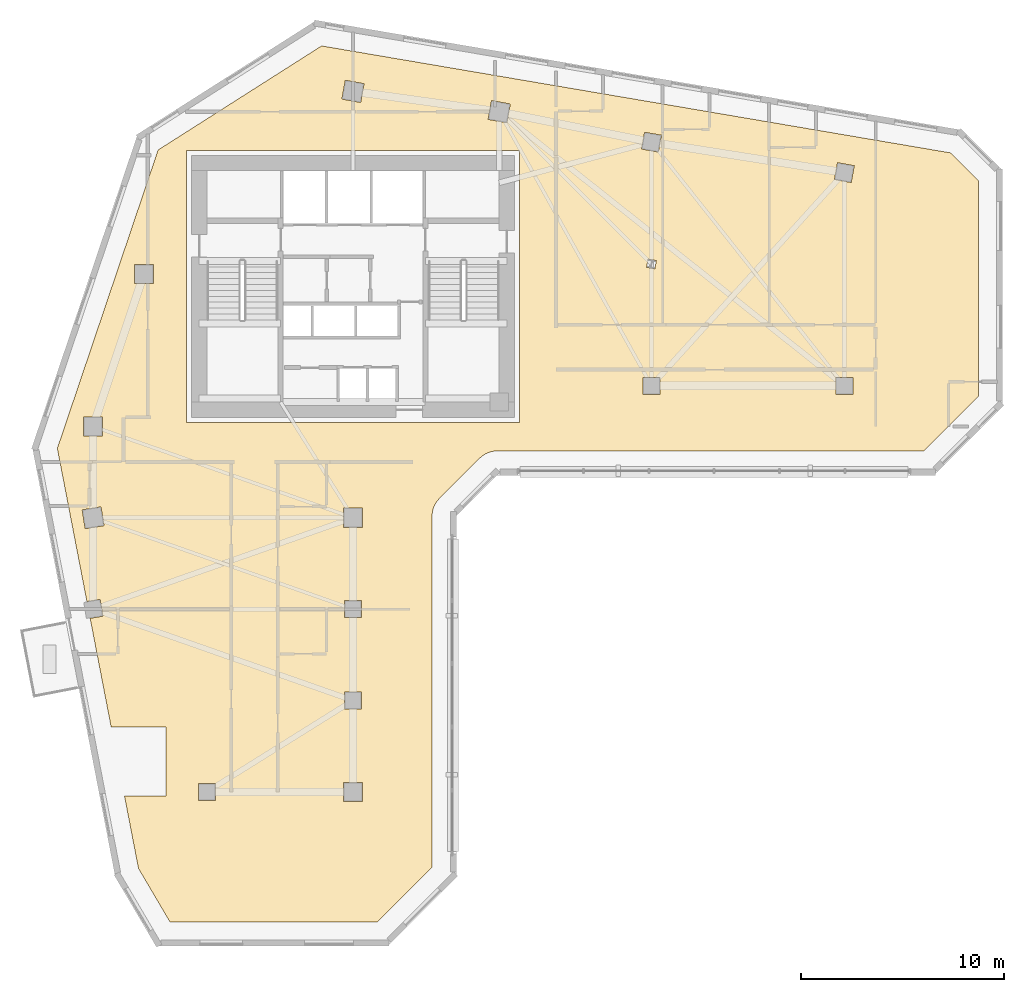
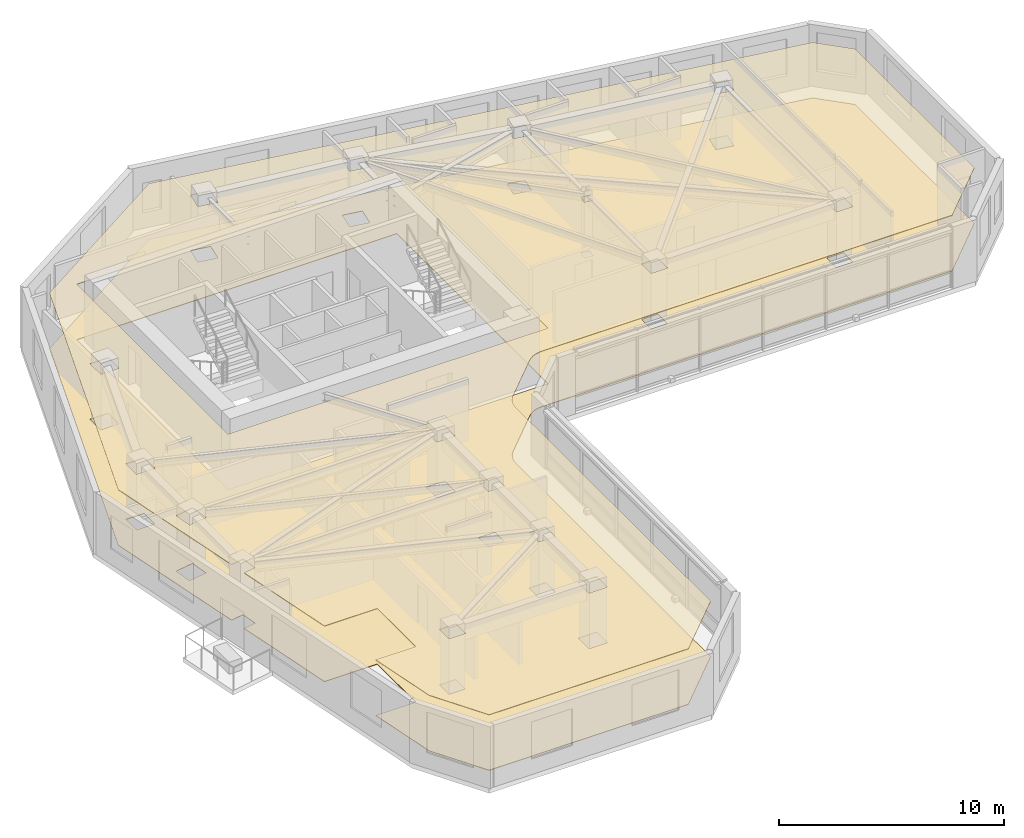
# One storey, part 10 of 11: 2 coverings.
"""IFC4 building model written with IfcOpenShell, lengths in metres."""

from ifc_helpers import new_model, si_unit, direction, frame, origin, place, context, subcontext, project, spatial, polyline, outline, extrude, material, layer, layer_set, type_object, element, save


model = new_model("IFC4")

# Units and contexts
model_context = context("Model", 3, precision=1e-05, world=origin(), true_north=direction((0.0, 1.0)))
body_context = subcontext(model_context, "Body", "Model", "MODEL_VIEW")
ifc_project = project(units=[si_unit("LENGTHUNIT", "METRE"), si_unit("AREAUNIT", "SQUARE_METRE"), si_unit("VOLUMEUNIT", "CUBIC_METRE"), si_unit("PLANEANGLEUNIT", "RADIAN"), si_unit("MASSUNIT", "GRAM", prefix="KILO")], contexts=[model_context])

# Site, building, storey
site_placement = place(None, origin())
site = spatial("IfcSite", under=ifc_project, at=site_placement, CompositionType="ELEMENT")
building_placement = place(site_placement, origin())
building = spatial("IfcBuilding", under=site, at=building_placement, Name="Calvemar Wedge Station Tower", CompositionType="ELEMENT")
storey_placement = place(building_placement, frame((0.0, 0.0, 114.199951171875)))
storey = spatial("IfcBuildingStorey", under=building, at=storey_placement, Name="L27", CompositionType="ELEMENT", Elevation=114.199951171875)

# Coverings
ifc_material_1 = material(Name="Acoustic mineral fibre ceiling board")
ifc_layer_1 = layer(ifc_material_1, 0.0400390625)
ifc_layer_set_1 = layer_set([ifc_layer_1], Name="Acoustic mineral fibre ceiling board")
covering_type_1 = type_object("IfcCoveringType", Name="COV-CEIL-ACOUSTIC", PredefinedType="CEILING", material=ifc_layer_set_1)
covering_1_placement = place(storey_placement, frame((0.0, 0.0, 3.0)))
element("IfcCovering", 1, at=covering_1_placement, inside=storey, type_object=covering_type_1, Name="Storey L27 Acoustic Suspended Ceiling", PredefinedType="CEILING", context=body_context, shape_type="SweptSolid", body=[
    extrude(outline(polyline([(28.047607421875, 29.4404296875), (30.047607421875, 31.4404296875), (30.134765625, 31.51953125), (30.229248046875, 31.58984375), (30.330322265625, 31.650390625), (30.436767578125, 31.70068359375), (30.547607421875, 31.740234375), (30.661865234375, 31.768798828125), (30.7783203125, 31.7861328125), (30.89599609375, 31.7919921875), (51.90283203125, 31.7919921875), (54.60009765625, 34.489013671875), (54.60009765625, 45.094970703125), (53.221923828125, 46.47314453125), (22.25439453125, 51.739501953125), (14.201416015625, 46.614990234375), (9.23828125, 31.91650390625), (10.695068359375, 24.37646484375), (11.348388671875, 24.481201171875), (11.481201171875, 23.651611328125), (10.8544921875, 23.55126953125), (11.888427734375, 18.199951171875), (14.60009765625, 18.199951171875), (14.60009765625, 14.800048828125), (12.54541015625, 14.800048828125), (13.235107421875, 11.23046875), (14.7822265625, 8.60009765625), (24.998779296875, 8.60009765625), (27.696044921875, 11.297119140625), (27.696044921875, 28.592041015625), (27.701904296875, 28.709716796875), (27.718994140625, 28.826171875), (27.747802734375, 28.940185546875), (27.787353515625, 29.05126953125), (27.837646484375, 29.15771484375), (27.898193359375, 29.2587890625), (27.968505859375, 29.353271484375), (28.047607421875, 29.4404296875)]), holes=[polyline([(15.60009765625, 46.60009765625), (32.0, 46.60009765625), (32.0, 33.199951171875), (15.60009765625, 33.199951171875), (15.60009765625, 46.60009765625)]), polyline([(10.530029296875, 32.530029296875), (10.530029296875, 33.469970703125), (11.469970703125, 33.469970703125), (11.469970703125, 32.530029296875), (10.530029296875, 32.530029296875)]), polyline([(13.030029296875, 40.969970703125), (13.969970703125, 40.969970703125), (13.969970703125, 40.030029296875), (13.030029296875, 40.030029296875), (13.030029296875, 40.969970703125)]), polyline([(24.345703125, 49.87939453125), (24.17919921875, 48.9541015625), (23.254150390625, 49.12060546875), (23.420654296875, 50.0458984375), (24.345703125, 49.87939453125)]), polyline([(31.37939453125, 47.9541015625), (30.4541015625, 48.12060546875), (30.62060546875, 49.0458984375), (31.5458984375, 48.87939453125), (31.37939453125, 47.9541015625)]), polyline([(38.01220703125, 46.660888671875), (38.160888671875, 47.48779296875), (38.98779296875, 47.339111328125), (38.839111328125, 46.51220703125), (38.01220703125, 46.660888671875)]), polyline([(47.660888671875, 45.98779296875), (48.48779296875, 45.839111328125), (48.339111328125, 45.01220703125), (47.51220703125, 45.160888671875), (47.660888671875, 45.98779296875)]), polyline([(38.919921875, 35.419921875), (38.919921875, 34.580078125), (38.080078125, 34.580078125), (38.080078125, 35.419921875), (38.919921875, 35.419921875)]), polyline([(48.419921875, 34.580078125), (47.580078125, 34.580078125), (47.580078125, 35.419921875), (48.419921875, 35.419921875), (48.419921875, 34.580078125)]), polyline([(38.259765625, 40.833984375), (38.332763671875, 41.239501953125), (38.740234375, 41.166015625), (38.667236328125, 40.760498046875), (38.259765625, 40.833984375)]), polyline([(11.389892578125, 29.038330078125), (11.538330078125, 28.110107421875), (10.610107421875, 27.961669921875), (10.461669921875, 28.889892578125), (11.389892578125, 29.038330078125)]), polyline([(24.27001953125, 28.030029296875), (23.330078125, 28.030029296875), (23.330078125, 28.969970703125), (24.27001953125, 28.969970703125), (24.27001953125, 28.030029296875)]), polyline([(23.3798828125, 23.580078125), (23.3798828125, 24.419921875), (24.219970703125, 24.419921875), (24.219970703125, 23.580078125), (23.3798828125, 23.580078125)]), polyline([(23.3798828125, 19.919921875), (24.219970703125, 19.919921875), (24.219970703125, 19.080078125), (23.3798828125, 19.080078125), (23.3798828125, 19.919921875)]), polyline([(24.27001953125, 15.469970703125), (24.27001953125, 14.530029296875), (23.330078125, 14.530029296875), (23.330078125, 15.469970703125), (24.27001953125, 15.469970703125)]), polyline([(17.02001953125, 14.580078125), (16.179931640625, 14.580078125), (16.179931640625, 15.419921875), (17.02001953125, 15.419921875), (17.02001953125, 14.580078125)])]), origin(), (0.0, 0.0, 1.0), 0.0400390625),
])
ifc_material_2 = material(Name="Honed coastal granite stone tile", Category="masonry")
ifc_layer_2 = layer(ifc_material_2, 0.030029296875)
ifc_layer_set_2 = layer_set([ifc_layer_2], Name="Honed coastal granite stone tile")
covering_type_2 = type_object("IfcCoveringType", Name="COV-FLR-STONE", PredefinedType="FLOORING", material=ifc_layer_set_2)
covering_2_placement = place(storey_placement, origin())
element("IfcCovering", 2, at=covering_2_placement, inside=storey, type_object=covering_type_2, Name="Storey L27 Architectural Floor Finish", PredefinedType="FLOORING", context=body_context, shape_type="SweptSolid", body=[
    extrude(outline(polyline([(28.047607421875, 29.4404296875), (30.047607421875, 31.4404296875), (30.134765625, 31.51953125), (30.229248046875, 31.58984375), (30.330322265625, 31.650390625), (30.436767578125, 31.70068359375), (30.547607421875, 31.740234375), (30.661865234375, 31.768798828125), (30.7783203125, 31.7861328125), (30.89599609375, 31.7919921875), (51.90283203125, 31.7919921875), (54.60009765625, 34.489013671875), (54.60009765625, 45.094970703125), (53.221923828125, 46.47314453125), (22.25439453125, 51.739501953125), (14.201416015625, 46.614990234375), (9.23828125, 31.91650390625), (10.695068359375, 24.37646484375), (11.348388671875, 24.481201171875), (11.481201171875, 23.651611328125), (10.8544921875, 23.55126953125), (11.888427734375, 18.199951171875), (14.60009765625, 18.199951171875), (14.60009765625, 14.800048828125), (12.54541015625, 14.800048828125), (13.235107421875, 11.23046875), (14.7822265625, 8.60009765625), (24.998779296875, 8.60009765625), (27.696044921875, 11.297119140625), (27.696044921875, 28.592041015625), (27.701904296875, 28.709716796875), (27.718994140625, 28.826171875), (27.747802734375, 28.940185546875), (27.787353515625, 29.05126953125), (27.837646484375, 29.15771484375), (27.898193359375, 29.2587890625), (27.968505859375, 29.353271484375), (28.047607421875, 29.4404296875)]), holes=[polyline([(15.60009765625, 46.60009765625), (32.0, 46.60009765625), (32.0, 33.199951171875), (15.60009765625, 33.199951171875), (15.60009765625, 46.60009765625)]), polyline([(10.530029296875, 32.530029296875), (10.530029296875, 33.469970703125), (11.469970703125, 33.469970703125), (11.469970703125, 32.530029296875), (10.530029296875, 32.530029296875)]), polyline([(13.030029296875, 40.969970703125), (13.969970703125, 40.969970703125), (13.969970703125, 40.030029296875), (13.030029296875, 40.030029296875), (13.030029296875, 40.969970703125)]), polyline([(24.345703125, 49.87939453125), (24.17919921875, 48.9541015625), (23.254150390625, 49.12060546875), (23.420654296875, 50.0458984375), (24.345703125, 49.87939453125)]), polyline([(31.37939453125, 47.9541015625), (30.4541015625, 48.12060546875), (30.62060546875, 49.0458984375), (31.5458984375, 48.87939453125), (31.37939453125, 47.9541015625)]), polyline([(38.01220703125, 46.660888671875), (38.160888671875, 47.48779296875), (38.98779296875, 47.339111328125), (38.839111328125, 46.51220703125), (38.01220703125, 46.660888671875)]), polyline([(47.660888671875, 45.98779296875), (48.48779296875, 45.839111328125), (48.339111328125, 45.01220703125), (47.51220703125, 45.160888671875), (47.660888671875, 45.98779296875)]), polyline([(38.919921875, 35.419921875), (38.919921875, 34.580078125), (38.080078125, 34.580078125), (38.080078125, 35.419921875), (38.919921875, 35.419921875)]), polyline([(48.419921875, 34.580078125), (47.580078125, 34.580078125), (47.580078125, 35.419921875), (48.419921875, 35.419921875), (48.419921875, 34.580078125)]), polyline([(38.259765625, 40.833984375), (38.332763671875, 41.239501953125), (38.740234375, 41.166015625), (38.667236328125, 40.760498046875), (38.259765625, 40.833984375)]), polyline([(11.389892578125, 29.038330078125), (11.538330078125, 28.110107421875), (10.610107421875, 27.961669921875), (10.461669921875, 28.889892578125), (11.389892578125, 29.038330078125)]), polyline([(24.27001953125, 28.030029296875), (23.330078125, 28.030029296875), (23.330078125, 28.969970703125), (24.27001953125, 28.969970703125), (24.27001953125, 28.030029296875)]), polyline([(23.3798828125, 23.580078125), (23.3798828125, 24.419921875), (24.219970703125, 24.419921875), (24.219970703125, 23.580078125), (23.3798828125, 23.580078125)]), polyline([(23.3798828125, 19.919921875), (24.219970703125, 19.919921875), (24.219970703125, 19.080078125), (23.3798828125, 19.080078125), (23.3798828125, 19.919921875)]), polyline([(24.27001953125, 15.469970703125), (24.27001953125, 14.530029296875), (23.330078125, 14.530029296875), (23.330078125, 15.469970703125), (24.27001953125, 15.469970703125)]), polyline([(17.02001953125, 14.580078125), (16.179931640625, 14.580078125), (16.179931640625, 15.419921875), (17.02001953125, 15.419921875), (17.02001953125, 14.580078125)])]), origin(), (0.0, 0.0, 1.0), 0.030029296875),
])

save(model, "model.ifc")
